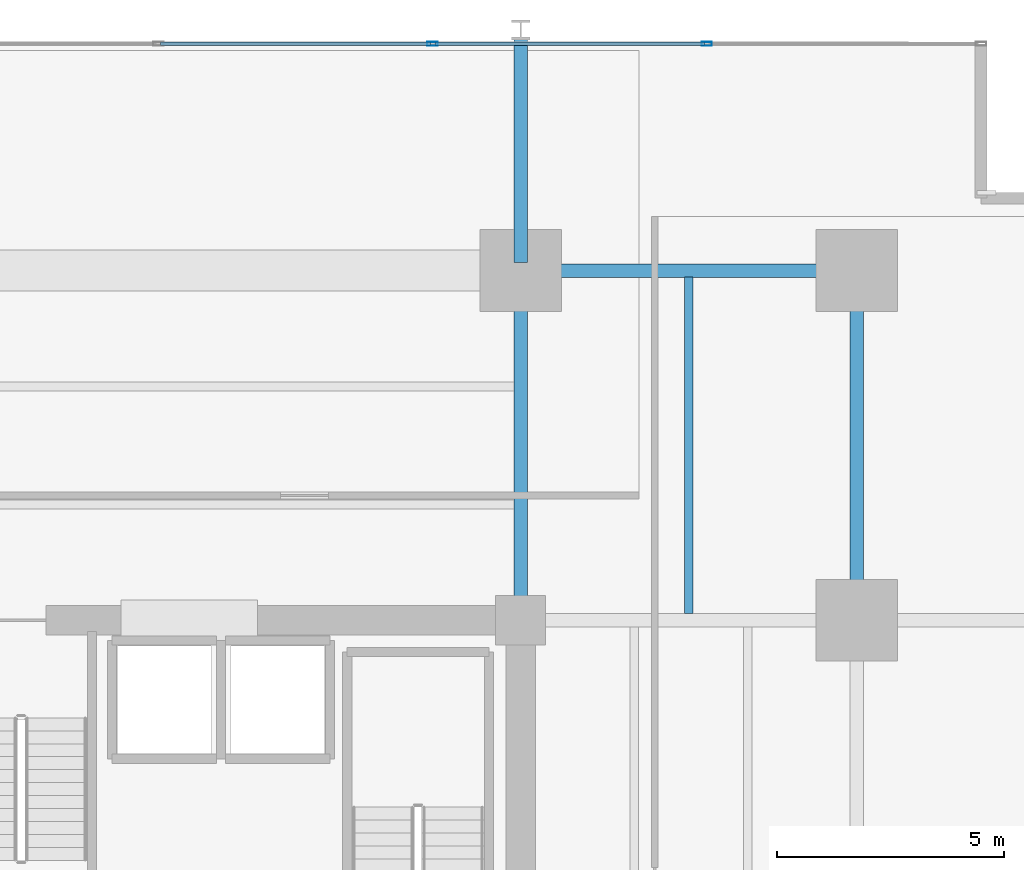
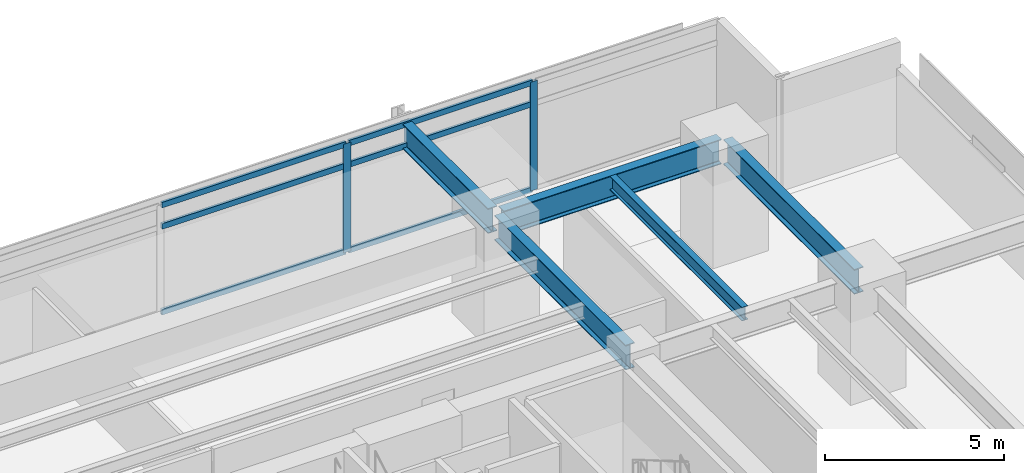
# One storey, part 11 of 21: 8 members, 5 beams, 1 element without a shape of its own.
"""IFC4 building model written with IfcOpenShell, lengths in metres."""

from ifc_helpers import new_model, si_unit, direction, frame, origin, origin_2d, place, context, subcontext, project, spatial, hollow_rectangle, i_section, extrude, material, material_profile, profile_set, type_object, element, aggregate, save


model = new_model("IFC4")

# Units and contexts
model_context = context("Model", 3, precision=1e-05, world=origin(), true_north=direction((0.0, 1.0)))
body_context = subcontext(model_context, "Body", "Model", "MODEL_VIEW")
ifc_project = project(units=[si_unit("LENGTHUNIT", "METRE"), si_unit("AREAUNIT", "SQUARE_METRE"), si_unit("VOLUMEUNIT", "CUBIC_METRE"), si_unit("PLANEANGLEUNIT", "RADIAN"), si_unit("MASSUNIT", "GRAM", prefix="KILO")], contexts=[model_context])

# Site, building, storey
site_placement = place(None, origin())
site = spatial("IfcSite", under=ifc_project, at=site_placement, CompositionType="ELEMENT")
building_placement = place(site_placement, origin())
building = spatial("IfcBuilding", under=site, at=building_placement, Name="Kovane Verandah Tower", CompositionType="ELEMENT")
storey_placement = place(building_placement, frame((0.0, 0.0, 31.60009765625)))
storey = spatial("IfcBuildingStorey", under=building, at=storey_placement, Name="L06", CompositionType="ELEMENT", Elevation=31.60009765625)

# Beams
ifc_material_1 = material(Name="Steel S355", Category="steel")
ifc_material_profile_1 = material_profile(ifc_material_1, i_section(OverallWidth=0.293701171875, OverallDepth=0.850830078125, WebThickness=0.01611328125, FlangeThickness=0.02685546875, FilletRadius=0.017822265625, at=origin_2d()), Name="UB838x292x226")
ifc_profile_set_1 = profile_set([ifc_material_profile_1], Name="Steel S355")
beam_type_1 = type_object("IfcBeamType", Name="BM-UB838x226", PredefinedType="BEAM", material=ifc_profile_set_1)
beam_1_placement = place(storey_placement, frame((51.179931640625, 44.199951171875, 3.33447265625), z_axis=(1.0, 0.0, 0.0), x_axis=(0.0, 1.0, 0.0)))
element("IfcBeam", 1, at=beam_1_placement, inside=storey, type_object=beam_type_1, Name="L06 Primary Tower Girder G-RN3", PredefinedType="BEAM", context=body_context, shape_type="SweptSolid", body=[
    extrude(i_section(OverallWidth=0.293701171875, OverallDepth=0.850830078125, WebThickness=0.01611328125, FlangeThickness=0.02685546875, FilletRadius=0.017822265625, at=origin_2d()), origin(), (0.0, 0.0, 1.0), 7.0400390625),
])
for number, where, z_axis, x_axis, name in (
    (2, (58.39990234375, 36.679931640625, 3.33447265625), (0.0, 1.0, 0.0), (-1.0, 0.0, 0.0), "L06 Primary Tower Girder G-RE3"),
    (3, (51.0, 36.679931640625, 3.33447265625), (0.0, 1.0, 0.0), (-1.0, 0.0, 0.0), "L06 Primary Tower Girder G-N2"),
):
    element("IfcBeam", number, at=place(storey_placement, frame(where, z_axis=z_axis, x_axis=x_axis)), inside=storey, type_object=beam_type_1, Name=name, PredefinedType="BEAM", context=body_context, shape_type="SweptSolid", body=[
        extrude(i_section(OverallWidth=0.293701171875, OverallDepth=0.850830078125, WebThickness=0.01611328125, FlangeThickness=0.02685546875, FilletRadius=0.017822265625, at=origin_2d()), origin(), (0.0, 0.0, 1.0), 7.340087890625),
    ])
beam_2_placement = place(storey_placement, frame((51.0, 44.3798828125, 3.33447265625), z_axis=(0.0, 1.0, 0.0), x_axis=(-1.0, 0.0, 0.0)))
element("IfcBeam", 4, at=beam_2_placement, inside=storey, type_object=beam_type_1, Name="L06 Primary Tower Girder G-VN2", PredefinedType="BEAM", context=body_context, shape_type="SweptSolid", body=[
    extrude(i_section(OverallWidth=0.293701171875, OverallDepth=0.850830078125, WebThickness=0.01611328125, FlangeThickness=0.02685546875, FilletRadius=0.017822265625, at=origin_2d()), origin(), (0.0, 0.0, 1.0), 4.940185546875),
])

# Curtain wall, members
ifc_material_2 = material(Name="Champagne Anodised Aluminium Frame with Low-E Clear Laminated Glass", Category="aluminium")
curtain_wall_type = type_object("IfcCurtainWallType", Name="CW-SYS-02-LOW", PredefinedType="NOTDEFINED", material=ifc_material_2)
curtain_wall_placement = place(storey_placement, origin())
curtain_wall = element("IfcCurtainWall", 5, at=curtain_wall_placement, inside=storey, type_object=curtain_wall_type, Name="L06 N Unitised Curtain Wall", PredefinedType="NOTDEFINED")
ifc_material_3 = material(Name="Champagne Anodised Aluminium 6063-T6", Category="aluminium")
ifc_material_profile_2 = material_profile(ifc_material_3, hollow_rectangle(XDim=0.0849609375, YDim=0.22998046875, WallThickness=0.00390625, at=origin_2d()), Name="AL85x230x4")
ifc_profile_set_2 = profile_set([ifc_material_profile_2], Name="Champagne Anodised Aluminium 6063-T6")
member_type_1 = type_object("IfcMemberType", Name="CW-MUL-85x230", PredefinedType="MULLION", material=ifc_profile_set_2)
member_1_placement = place(storey_placement, frame((55.096923828125, 49.195068359375, 0.02001953125), z_axis=(0.0, 0.0, 1.0), x_axis=(0.0, 1.0, 0.0)))
member_1 = element("IfcMember", 6, at=member_1_placement, type_object=member_type_1, Name="L06 N Unitised Curtain Wall Mullion 2", PredefinedType="MULLION", context=body_context, shape_type="SweptSolid", body=[
    extrude(hollow_rectangle(XDim=0.0849609375, YDim=0.22998046875, WallThickness=0.00390625, at=origin_2d()), origin(), (0.0, 0.0, 1.0), 3.719970703125),
])
member_2_placement = place(storey_placement, frame((49.05810546875, 49.195068359375, 0.02001953125), z_axis=(0.0, 0.0, 1.0), x_axis=(0.0, 1.0, 0.0)))
member_2 = element("IfcMember", 7, at=member_2_placement, type_object=member_type_1, Name="L06 N Unitised Curtain Wall Mullion 3", PredefinedType="MULLION", context=body_context, shape_type="SweptSolid", body=[
    extrude(hollow_rectangle(XDim=0.0849609375, YDim=0.22998046875, WallThickness=0.00390625, at=origin_2d()), origin(), (0.0, 0.0, 1.0), 3.719970703125),
])
ifc_material_profile_3 = material_profile(ifc_material_3, hollow_rectangle(XDim=0.0849609375, YDim=0.18994140625, WallThickness=0.00390625, at=origin_2d()), Name="AL85x190x4")
ifc_profile_set_3 = profile_set([ifc_material_profile_3], Name="Champagne Anodised Aluminium 6063-T6")
member_type_2 = type_object("IfcMemberType", Name="CW-TRN-85x190", PredefinedType="USERDEFINED", material=ifc_profile_set_3)
member_3_placement = place(storey_placement, frame((55.046875, 49.195068359375, 0.0498046875), z_axis=(-1.0, 0.0, 0.0), x_axis=(0.0, -1.0, 0.0)))
member_3 = element("IfcMember", 8, at=member_3_placement, type_object=member_type_2, Name="L06 N Unitised Curtain Wall Transom TB Bay 2", ObjectType="TRANSOM", PredefinedType="USERDEFINED", context=body_context, shape_type="SweptSolid", body=[
    extrude(hollow_rectangle(XDim=0.0849609375, YDim=0.18994140625, WallThickness=0.00390625, at=origin_2d()), origin(), (0.0, 0.0, 1.0), 5.938720703125),
])
member_4_placement = place(storey_placement, frame((55.046875, 49.195068359375, 2.97998046875), z_axis=(-1.0, 0.0, 0.0), x_axis=(0.0, -1.0, 0.0)))
member_4 = element("IfcMember", 9, at=member_4_placement, type_object=member_type_2, Name="L06 N Unitised Curtain Wall Transom TM Bay 2", ObjectType="TRANSOM", PredefinedType="USERDEFINED", context=body_context, shape_type="SweptSolid", body=[
    extrude(hollow_rectangle(XDim=0.0849609375, YDim=0.18994140625, WallThickness=0.00390625, at=origin_2d()), origin(), (0.0, 0.0, 1.0), 5.938720703125),
])
member_5_placement = place(storey_placement, frame((55.046875, 49.195068359375, 3.7099609375), z_axis=(-1.0, 0.0, 0.0), x_axis=(0.0, -1.0, 0.0)))
member_5 = element("IfcMember", 10, at=member_5_placement, type_object=member_type_2, Name="L06 N Unitised Curtain Wall Transom TT Bay 2", ObjectType="TRANSOM", PredefinedType="USERDEFINED", context=body_context, shape_type="SweptSolid", body=[
    extrude(hollow_rectangle(XDim=0.0849609375, YDim=0.18994140625, WallThickness=0.00390625, at=origin_2d()), origin(), (0.0, 0.0, 1.0), 5.938720703125),
])
member_6_placement = place(storey_placement, frame((49.00830078125, 49.195068359375, 0.0498046875), z_axis=(-1.0, 0.0, 0.0), x_axis=(0.0, -1.0, 0.0)))
member_6 = element("IfcMember", 11, at=member_6_placement, type_object=member_type_2, Name="L06 N Unitised Curtain Wall Transom TB Bay 3", ObjectType="TRANSOM", PredefinedType="USERDEFINED", context=body_context, shape_type="SweptSolid", body=[
    extrude(hollow_rectangle(XDim=0.0849609375, YDim=0.18994140625, WallThickness=0.00390625, at=origin_2d()), origin(), (0.0, 0.0, 1.0), 5.93896484375),
])
member_7_placement = place(storey_placement, frame((49.00830078125, 49.195068359375, 2.97998046875), z_axis=(-1.0, 0.0, 0.0), x_axis=(0.0, -1.0, 0.0)))
member_7 = element("IfcMember", 12, at=member_7_placement, type_object=member_type_2, Name="L06 N Unitised Curtain Wall Transom TM Bay 3", ObjectType="TRANSOM", PredefinedType="USERDEFINED", context=body_context, shape_type="SweptSolid", body=[
    extrude(hollow_rectangle(XDim=0.0849609375, YDim=0.18994140625, WallThickness=0.00390625, at=origin_2d()), origin(), (0.0, 0.0, 1.0), 5.93896484375),
])
member_8_placement = place(storey_placement, frame((49.00830078125, 49.195068359375, 3.7099609375), z_axis=(-1.0, 0.0, 0.0), x_axis=(0.0, -1.0, 0.0)))
member_8 = element("IfcMember", 13, at=member_8_placement, type_object=member_type_2, Name="L06 N Unitised Curtain Wall Transom TT Bay 3", ObjectType="TRANSOM", PredefinedType="USERDEFINED", context=body_context, shape_type="SweptSolid", body=[
    extrude(hollow_rectangle(XDim=0.0849609375, YDim=0.18994140625, WallThickness=0.00390625, at=origin_2d()), origin(), (0.0, 0.0, 1.0), 5.93896484375),
])
aggregate(curtain_wall, [member_1, member_2, member_3, member_4, member_5, member_6, member_7, member_8])

# Beam
ifc_material_profile_4 = material_profile(ifc_material_1, i_section(OverallWidth=0.19287109375, OverallDepth=0.46728515625, WebThickness=0.011474609375, FlangeThickness=0.01953125, FilletRadius=0.01025390625, at=origin_2d()), Name="UB457x191x98")
ifc_profile_set_4 = profile_set([ifc_material_profile_4], Name="Steel S355")
beam_type_2 = type_object("IfcBeamType", Name="JST-UB457x98", PredefinedType="JOIST", material=ifc_profile_set_4)
beam_3_placement = place(storey_placement, frame((54.699951171875, 36.64501953125, 3.5263671875), z_axis=(0.0, 1.0, 0.0), x_axis=(-1.0, 0.0, 0.0)))
element("IfcBeam", 14, at=beam_3_placement, inside=storey, type_object=beam_type_2, Name="L06 Secondary Composite Joist J-NE1", PredefinedType="JOIST", context=body_context, shape_type="SweptSolid", body=[
    extrude(i_section(OverallWidth=0.19287109375, OverallDepth=0.46728515625, WebThickness=0.011474609375, FlangeThickness=0.01953125, FilletRadius=0.01025390625, at=origin_2d()), origin(), (0.0, 0.0, 1.0), 7.41015625),
])

save(model, "model.ifc")
